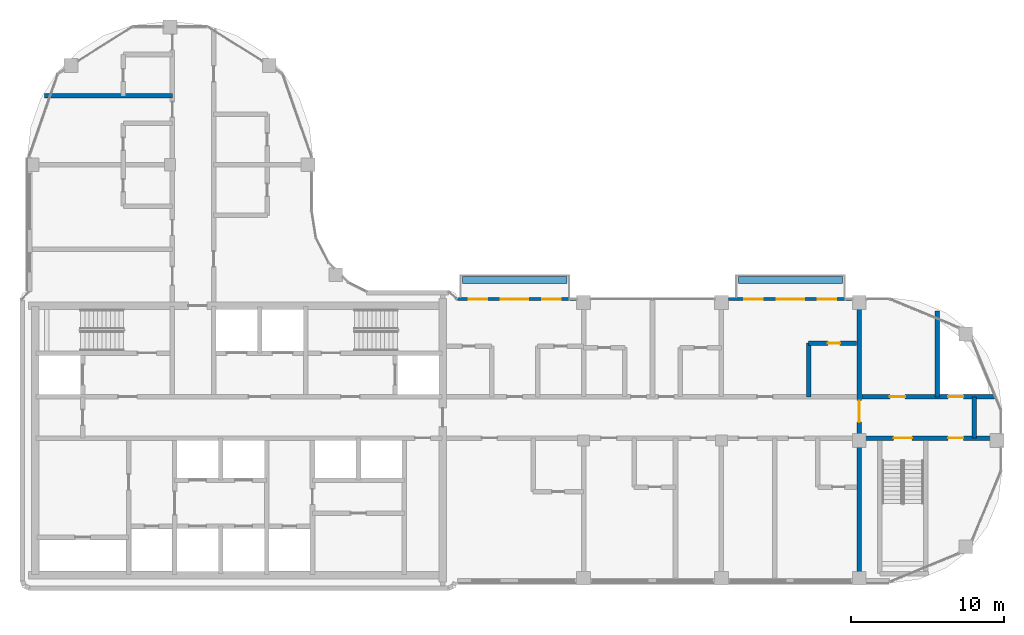
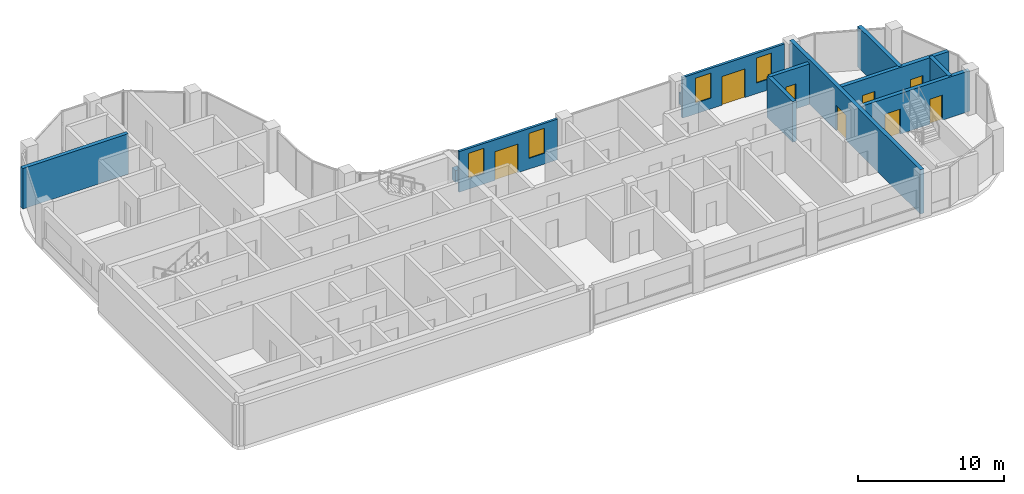
# One storey, part 13 of 19: 12 walls, 8 doors, 4 windows, 12 openings.
"""IFC4 building model written with IfcOpenShell, lengths in metres."""

from ifc_helpers import new_model, si_unit, direction, frame, frame_2d, origin, origin_2d, place, context, subcontext, project, spatial, rectangle, extrude, material, layer, layer_set, type_object, element, fill, save


model = new_model("IFC4")

# Units and contexts
model_context = context("Model", 3, precision=1e-05, world=origin(), true_north=direction((0.0, 1.0)))
body_context = subcontext(model_context, "Body", "Model", "MODEL_VIEW")
ifc_project = project(units=[si_unit("LENGTHUNIT", "METRE"), si_unit("AREAUNIT", "SQUARE_METRE"), si_unit("VOLUMEUNIT", "CUBIC_METRE"), si_unit("PLANEANGLEUNIT", "RADIAN"), si_unit("MASSUNIT", "GRAM", prefix="KILO")], contexts=[model_context])

# Site, building, storey
site_placement = place(None, origin())
site = spatial("IfcSite", under=ifc_project, at=site_placement, CompositionType="ELEMENT")
building_placement = place(site_placement, origin())
building = spatial("IfcBuilding", under=site, at=building_placement, Name="Ogive Portal Towers", CompositionType="ELEMENT")
storey_placement = place(building_placement, frame((0.0, 0.0, 218.0)))
storey = spatial("IfcBuildingStorey", under=building, at=storey_placement, Name="L54", CompositionType="ELEMENT", Elevation=218.0)

# Wall, openings, door, windows
ifc_material_1 = material(Name="Limestone cladding on lightweight block wall", Category="masonry")
ifc_layer_1 = layer(ifc_material_1, 0.199951171875)
ifc_layer_set_1 = layer_set([ifc_layer_1], Name="BALCONY BAY WALL 200")
wall_type_1 = type_object("IfcWallType", Name="BALCONY BAY WALL 200", PredefinedType="SOLIDWALL", material=ifc_layer_set_1)
wall_1_placement = place(storey_placement, frame((76.949951171875, 39.719970703125, 0.0), z_axis=(0.0, 0.0, 1.0), x_axis=(1.0, 0.0, 0.0)))
wall_1 = element("IfcWall", 1, at=wall_1_placement, inside=storey, type_object=wall_type_1, Name="A:L54:f26:bay0", PredefinedType="SOLIDWALL", context=body_context, shape_type="SweptSolid", body=[
    extrude(rectangle(XDim=8.10009765625, YDim=0.199951171875, at=frame_2d((4.050048828125, 0.0))), origin(), (0.0, 0.0, 1.0), 3.39990234375),
])
opening_1_placement = place(wall_1_placement, frame((3.14990234375, 0.0, 0.0)))
opening_1 = element("IfcOpeningElement", 2, at=opening_1_placement, cuts=wall_1, Name="Opening DX052", PredefinedType="OPENING", context=body_context, shape_type="SweptSolid", body=[
    extrude(rectangle(XDim=1.800048828125, YDim=2.39990234375, at=frame_2d((0.89990234375, 1.199951171875))), frame((0.0, 0.10986328125, 0.0), z_axis=(0.0, -1.0, 0.0), x_axis=(1.0, 0.0, 0.0)), (0.0, 0.0, 1.0), 0.219970703125),
])
opening_2_placement = place(wall_1_placement, frame((5.85009765625, 0.0, 0.89990234375)))
opening_2 = element("IfcOpeningElement", 3, at=opening_2_placement, cuts=wall_1, Name="Opening WN2", PredefinedType="OPENING", context=body_context, shape_type="SweptSolid", body=[
    extrude(rectangle(XDim=1.199951171875, YDim=2.10009765625, at=frame_2d((0.60009765625, 1.050048828125))), frame((0.0, 0.10986328125, 0.0), z_axis=(0.0, -1.0, 0.0), x_axis=(1.0, 0.0, 0.0)), (0.0, 0.0, 1.0), 0.219970703125),
])
opening_3_placement = place(wall_1_placement, frame((1.050048828125, 0.0, 0.89990234375)))
opening_3 = element("IfcOpeningElement", 4, at=opening_3_placement, cuts=wall_1, Name="Opening WN2", PredefinedType="OPENING", context=body_context, shape_type="SweptSolid", body=[
    extrude(rectangle(XDim=1.199951171875, YDim=2.10009765625, at=frame_2d((0.60009765625, 1.050048828125))), frame((0.0, 0.10986328125, 0.0), z_axis=(0.0, -1.0, 0.0), x_axis=(1.0, 0.0, 0.0)), (0.0, 0.0, 1.0), 0.219970703125),
])
ifc_material_2 = material(Name="Aluminium 6063 anodised", Category="aluminium")
door_type_1 = type_object("IfcDoorType", Name="BALCONY DOOR 1800x2400", OperationType="DOUBLE_DOOR_SINGLE_SWING", PredefinedType="DOOR", material=ifc_material_2)
door_1_placement = place(opening_1_placement, origin())
door_1 = element("IfcDoor", 5, at=door_1_placement, inside=storey, type_object=door_type_1, Name="A:L54:f26:bay0/o0", OperationType="SINGLE_SWING_LEFT", OverallHeight=2.39990234375, OverallWidth=1.800048828125, PredefinedType="DOOR", context=body_context, shape_type="SweptSolid", body=[
    extrude(rectangle(XDim=1.800048828125, YDim=2.39990234375, at=frame_2d((0.89990234375, 1.199951171875))), frame((0.0, 0.02490234375, 0.0), z_axis=(0.0, -1.0, 0.0), x_axis=(1.0, 0.0, 0.0)), (0.0, 0.0, 1.0), 0.050048828125),
])
fill(opening_1, door_1)
ifc_material_3 = material(Name="Glass, clear low-iron insulated glazing", Category="glass")
window_type = type_object("IfcWindowType", Name="WINDOW BALCONY BAY 1200x2100", PartitioningType="SINGLE_PANEL", PredefinedType="WINDOW", material=ifc_material_3)
window_1_placement = place(opening_2_placement, origin())
window_1 = element("IfcWindow", 6, at=window_1_placement, inside=storey, type_object=window_type, Name="A:L54:f26:bay0/o1", OverallHeight=2.10009765625, OverallWidth=1.199951171875, PartitioningType="SINGLE_PANEL", PredefinedType="WINDOW", context=body_context, shape_type="SweptSolid", body=[
    extrude(rectangle(XDim=1.199951171875, YDim=2.10009765625, at=frame_2d((0.60009765625, 1.050048828125))), frame((0.0, 0.030029296875, 0.0), z_axis=(0.0, -1.0, 0.0), x_axis=(1.0, 0.0, 0.0)), (0.0, 0.0, 1.0), 0.06005859375),
])
fill(opening_2, window_1)
window_2_placement = place(opening_3_placement, origin())
window_2 = element("IfcWindow", 7, at=window_2_placement, inside=storey, type_object=window_type, Name="A:L54:f26:bay0/o2", OverallHeight=2.10009765625, OverallWidth=1.199951171875, PartitioningType="SINGLE_PANEL", PredefinedType="WINDOW", context=body_context, shape_type="SweptSolid", body=[
    extrude(rectangle(XDim=1.199951171875, YDim=2.10009765625, at=frame_2d((0.60009765625, 1.050048828125))), frame((0.0, 0.030029296875, 0.0), z_axis=(0.0, -1.0, 0.0), x_axis=(1.0, 0.0, 0.0)), (0.0, 0.0, 1.0), 0.06005859375),
])
fill(opening_3, window_2)

wall_2_placement = place(storey_placement, frame((59.250244140625, 39.719970703125, 0.0), z_axis=(0.0, 0.0, 1.0), x_axis=(1.0, 0.0, 0.0)))
wall_2 = element("IfcWall", 8, at=wall_2_placement, inside=storey, type_object=wall_type_1, Name="A:L54:f26:bay1", PredefinedType="SOLIDWALL", context=body_context, shape_type="SweptSolid", body=[
    extrude(rectangle(XDim=7.7998046875, YDim=0.199951171875, at=frame_2d((3.89990234375, 0.0))), origin(), (0.0, 0.0, 1.0), 3.39990234375),
])
opening_4_placement = place(wall_2_placement, frame((2.85009765625, 0.0, 0.0)))
opening_4 = element("IfcOpeningElement", 9, at=opening_4_placement, cuts=wall_2, Name="Opening DX053", PredefinedType="OPENING", context=body_context, shape_type="SweptSolid", body=[
    extrude(rectangle(XDim=1.800048828125, YDim=2.39990234375, at=frame_2d((0.89990234375, 1.199951171875))), frame((0.0, 0.10986328125, 0.0), z_axis=(0.0, -1.0, 0.0), x_axis=(1.0, 0.0, 0.0)), (0.0, 0.0, 1.0), 0.219970703125),
])
opening_5_placement = place(wall_2_placement, frame((5.550048828125, 0.0, 0.89990234375)))
opening_5 = element("IfcOpeningElement", 10, at=opening_5_placement, cuts=wall_2, Name="Opening WN2", PredefinedType="OPENING", context=body_context, shape_type="SweptSolid", body=[
    extrude(rectangle(XDim=1.199951171875, YDim=2.10009765625, at=frame_2d((0.60009765625, 1.050048828125))), frame((0.0, 0.10986328125, 0.0), z_axis=(0.0, -1.0, 0.0), x_axis=(1.0, 0.0, 0.0)), (0.0, 0.0, 1.0), 0.219970703125),
])
opening_6_placement = place(wall_2_placement, frame((0.75, 0.0, 0.89990234375)))
opening_6 = element("IfcOpeningElement", 11, at=opening_6_placement, cuts=wall_2, Name="Opening WN2", PredefinedType="OPENING", context=body_context, shape_type="SweptSolid", body=[
    extrude(rectangle(XDim=1.199951171875, YDim=2.10009765625, at=frame_2d((0.60009765625, 1.050048828125))), frame((0.0, 0.10986328125, 0.0), z_axis=(0.0, -1.0, 0.0), x_axis=(1.0, 0.0, 0.0)), (0.0, 0.0, 1.0), 0.219970703125),
])
door_2_placement = place(opening_4_placement, origin())
door_2 = element("IfcDoor", 12, at=door_2_placement, inside=storey, type_object=door_type_1, Name="A:L54:f26:bay1/o0", OperationType="SINGLE_SWING_LEFT", OverallHeight=2.39990234375, OverallWidth=1.800048828125, PredefinedType="DOOR", context=body_context, shape_type="SweptSolid", body=[
    extrude(rectangle(XDim=1.800048828125, YDim=2.39990234375, at=frame_2d((0.89990234375, 1.199951171875))), frame((0.0, 0.02490234375, 0.0), z_axis=(0.0, -1.0, 0.0), x_axis=(1.0, 0.0, 0.0)), (0.0, 0.0, 1.0), 0.050048828125),
])
fill(opening_4, door_2)
window_3_placement = place(opening_5_placement, origin())
window_3 = element("IfcWindow", 13, at=window_3_placement, inside=storey, type_object=window_type, Name="A:L54:f26:bay1/o1", OverallHeight=2.10009765625, OverallWidth=1.199951171875, PartitioningType="SINGLE_PANEL", PredefinedType="WINDOW", context=body_context, shape_type="SweptSolid", body=[
    extrude(rectangle(XDim=1.199951171875, YDim=2.10009765625, at=frame_2d((0.60009765625, 1.050048828125))), frame((0.0, 0.030029296875, 0.0), z_axis=(0.0, -1.0, 0.0), x_axis=(1.0, 0.0, 0.0)), (0.0, 0.0, 1.0), 0.06005859375),
])
fill(opening_5, window_3)
window_4_placement = place(opening_6_placement, origin())
window_4 = element("IfcWindow", 14, at=window_4_placement, inside=storey, type_object=window_type, Name="A:L54:f26:bay1/o2", OverallHeight=2.10009765625, OverallWidth=1.199951171875, PartitioningType="SINGLE_PANEL", PredefinedType="WINDOW", context=body_context, shape_type="SweptSolid", body=[
    extrude(rectangle(XDim=1.199951171875, YDim=2.10009765625, at=frame_2d((0.60009765625, 1.050048828125))), frame((0.0, 0.030029296875, 0.0), z_axis=(0.0, -1.0, 0.0), x_axis=(1.0, 0.0, 0.0)), (0.0, 0.0, 1.0), 0.06005859375),
])
fill(opening_6, window_4)

# Walls
ifc_material_4 = material(Name="Concrete C40/50", Category="concrete")
ifc_layer_2 = layer(ifc_material_4, 0.449951171875)
ifc_layer_set_2 = layer_set([ifc_layer_2], Name="PLANTER WALL 450")
wall_type_2 = type_object("IfcWallType", Name="PLANTER WALL 450", PredefinedType="SOLIDWALL", material=ifc_layer_set_2)
for number, where, z_axis, x_axis, name in (
    (15, (63.0, 40.97509765625, 0.0), (0.0, 0.0, 1.0), (1.0, 0.0, 0.0), "Planter T1"),
    (16, (81.0, 40.97509765625, 0.0), (0.0, 0.0, 1.0), (1.0, 0.0, 0.0), "Planter T3"),
):
    element("IfcWall", number, at=place(storey_placement, frame(where, z_axis=z_axis, x_axis=x_axis)), inside=storey, type_object=wall_type_2, Name=name, PredefinedType="SOLIDWALL", context=body_context, shape_type="SweptSolid", body=[
        extrude(rectangle(XDim=6.800048828125, YDim=0.449951171875, at=origin_2d()), origin(), (0.0, 0.0, 1.0), 1.0),
    ])

# Wall, opening, door
ifc_material_5 = material(Name="Concrete C60/75", Category="concrete")
ifc_layer_3 = layer(ifc_material_5, 0.300048828125)
ifc_layer_set_3 = layer_set([ifc_layer_3], Name="REVEAL WALL 300 C60")
wall_type_3 = type_object("IfcWallType", Name="REVEAL WALL 300 C60", PredefinedType="SHEAR", material=ifc_layer_set_3)
wall_3_placement = place(storey_placement, frame((85.5, 21.530029296875, 0.0), z_axis=(0.0, 0.0, 1.0), x_axis=(0.0, 1.0, 0.0)))
wall_3 = element("IfcWall", 17, at=wall_3_placement, inside=storey, type_object=wall_type_3, Name="Portal reveal wall L54", PredefinedType="SHEAR", context=body_context, shape_type="SweptSolid", body=[
    extrude(rectangle(XDim=17.93994140625, YDim=0.300048828125, at=frame_2d((8.969970703125, 0.0))), origin(), (0.0, 0.0, 1.0), 3.699951171875),
])
opening_7_placement = place(wall_3_placement, frame((10.169921875, 0.0, 0.0)))
opening_7 = element("IfcOpeningElement", 18, at=opening_7_placement, cuts=wall_3, Name="Opening D24-057", PredefinedType="OPENING", context=body_context, shape_type="SweptSolid", body=[
    extrude(rectangle(XDim=1.39990234375, YDim=2.10009765625, at=frame_2d((0.699951171875, 1.050048828125))), frame((0.0, 0.16015625, 0.0), z_axis=(0.0, -1.0, 0.0), x_axis=(1.0, 0.0, 0.0)), (0.0, 0.0, 1.0), 0.320068359375),
])
ifc_material_6 = material(Name="Steel fire door", Category="steel")
door_type_2 = type_object("IfcDoorType", Name="DT-STAIR-1400x2100-FD90S", OperationType="SINGLE_SWING_LEFT", PredefinedType="DOOR", material=ifc_material_6)
door_3_placement = place(opening_7_placement, origin())
door_3 = element("IfcDoor", 19, at=door_3_placement, inside=storey, type_object=door_type_2, Name="Door D24-057", OperationType="SINGLE_SWING_RIGHT", OverallHeight=2.10009765625, OverallWidth=1.39990234375, PredefinedType="DOOR", context=body_context, shape_type="SweptSolid", body=[
    extrude(rectangle(XDim=1.39990234375, YDim=2.10009765625, at=frame_2d((0.699951171875, 1.050048828125))), frame((0.0, 0.02490234375, 0.0), z_axis=(0.0, -1.0, 0.0), x_axis=(1.0, 0.0, 0.0)), (0.0, 0.0, 1.0), 0.050048828125),
])
fill(opening_7, door_3)

# Wall, openings, doors
ifc_material_7 = material(Name="Concrete C50/60", Category="concrete")
ifc_layer_4 = layer(ifc_material_7, 0.300048828125)
ifc_layer_set_4 = layer_set([ifc_layer_4], Name="STAIR WALL 300 C50")
wall_type_4 = type_object("IfcWallType", Name="STAIR WALL 300 C50", PredefinedType="SHEAR", material=ifc_layer_set_4)
wall_4_placement = place(storey_placement, frame((85.669921875, 30.64990234375, 0.0), z_axis=(0.0, 0.0, 1.0), x_axis=(1.0, 0.0, 0.0)))
wall_4 = element("IfcWall", 20, at=wall_4_placement, inside=storey, type_object=wall_type_4, Name="Stair wall ST-A4 L54", PredefinedType="SHEAR", context=body_context, shape_type="SweptSolid", body=[
    extrude(rectangle(XDim=8.800048828125, YDim=0.300048828125, at=frame_2d((4.39990234375, 0.0))), origin(), (0.0, 0.0, 1.0), 3.39990234375),
])
opening_8_placement = place(wall_4_placement, frame((2.080078125, 0.0, 0.0)))
opening_8 = element("IfcOpeningElement", 21, at=opening_8_placement, cuts=wall_4, Name="Opening D24-053", PredefinedType="OPENING", context=body_context, shape_type="SweptSolid", body=[
    extrude(rectangle(XDim=1.199951171875, YDim=2.10009765625, at=frame_2d((0.60009765625, 1.050048828125))), frame((0.0, 0.16015625, 0.0), z_axis=(0.0, -1.0, 0.0), x_axis=(1.0, 0.0, 0.0)), (0.0, 0.0, 1.0), 0.320068359375),
])
opening_9_placement = place(wall_4_placement, frame((5.6298828125, 0.0, 0.0)))
opening_9 = element("IfcOpeningElement", 22, at=opening_9_placement, cuts=wall_4, Name="Opening D24-056", PredefinedType="OPENING", context=body_context, shape_type="SweptSolid", body=[
    extrude(rectangle(XDim=1.0, YDim=2.10009765625, at=frame_2d((0.5, 1.050048828125))), frame((0.0, 0.16015625, 0.0), z_axis=(0.0, -1.0, 0.0), x_axis=(1.0, 0.0, 0.0)), (0.0, 0.0, 1.0), 0.320068359375),
])
door_type_3 = type_object("IfcDoorType", Name="DT-SERVICE-1000x2100-FD90S", OperationType="SINGLE_SWING_LEFT", PredefinedType="DOOR", material=ifc_material_6)
door_4_placement = place(opening_9_placement, origin())
door_4 = element("IfcDoor", 23, at=door_4_placement, inside=storey, type_object=door_type_3, Name="Door D24-056", OperationType="SINGLE_SWING_LEFT", OverallHeight=2.10009765625, OverallWidth=1.0, PredefinedType="DOOR", context=body_context, shape_type="SweptSolid", body=[
    extrude(rectangle(XDim=1.0, YDim=2.10009765625, at=frame_2d((0.5, 1.050048828125))), frame((0.0, 0.02490234375, 0.0), z_axis=(0.0, -1.0, 0.0), x_axis=(1.0, 0.0, 0.0)), (0.0, 0.0, 1.0), 0.050048828125),
])
fill(opening_9, door_4)
door_type_4 = type_object("IfcDoorType", Name="DT-STAIR-1200x2100-FD90S", OperationType="SINGLE_SWING_LEFT", PredefinedType="DOOR", material=ifc_material_6)
door_5_placement = place(opening_8_placement, origin())
door_5 = element("IfcDoor", 24, at=door_5_placement, inside=storey, type_object=door_type_4, Name="Door D24-053", OperationType="SINGLE_SWING_LEFT", OverallHeight=2.10009765625, OverallWidth=1.199951171875, PredefinedType="DOOR", context=body_context, shape_type="SweptSolid", body=[
    extrude(rectangle(XDim=1.199951171875, YDim=2.10009765625, at=frame_2d((0.60009765625, 1.050048828125))), frame((0.0, 0.02490234375, 0.0), z_axis=(0.0, -1.0, 0.0), x_axis=(1.0, 0.0, 0.0)), (0.0, 0.0, 1.0), 0.050048828125),
])
fill(opening_8, door_5)

ifc_material_8 = material(Name="Gypsum board partition on steel studs", Category="steel")
ifc_layer_5 = layer(ifc_material_8, 0.300048828125)
ifc_layer_set_5 = layer_set([ifc_layer_5], Name="WT-PART-300-EI 120")
wall_type_5 = type_object("IfcWallType", Name="WT-PART-300-EI 120", PredefinedType="PARTITIONING", material=ifc_layer_set_5)
wall_5_placement = place(storey_placement, frame((85.669921875, 33.35009765625, 0.0), z_axis=(0.0, 0.0, 1.0), x_axis=(1.0, 0.0, 0.0)))
wall_5 = element("IfcWall", 25, at=wall_5_placement, inside=storey, type_object=wall_type_5, Name="Wall L54:w008", PredefinedType="PARTITIONING", context=body_context, shape_type="SweptSolid", body=[
    extrude(rectangle(XDim=8.68505859375, YDim=0.300048828125, at=frame_2d((4.342529296875, 0.0))), origin(), (0.0, 0.0, 1.0), 3.39990234375),
])
opening_10_placement = place(wall_5_placement, frame((1.830078125, 0.0, 0.0)))
opening_10 = element("IfcOpeningElement", 26, at=opening_10_placement, cuts=wall_5, Name="Opening D24-054", PredefinedType="OPENING", context=body_context, shape_type="SweptSolid", body=[
    extrude(rectangle(XDim=1.0, YDim=2.10009765625, at=frame_2d((0.5, 1.050048828125))), frame((0.0, 0.16015625, 0.0), z_axis=(0.0, -1.0, 0.0), x_axis=(1.0, 0.0, 0.0)), (0.0, 0.0, 1.0), 0.320068359375),
])
opening_11_placement = place(wall_5_placement, frame((5.6298828125, 0.0, 0.0)))
opening_11 = element("IfcOpeningElement", 27, at=opening_11_placement, cuts=wall_5, Name="Opening D24-055", PredefinedType="OPENING", context=body_context, shape_type="SweptSolid", body=[
    extrude(rectangle(XDim=1.0, YDim=2.10009765625, at=frame_2d((0.5, 1.050048828125))), frame((0.0, 0.16015625, 0.0), z_axis=(0.0, -1.0, 0.0), x_axis=(1.0, 0.0, 0.0)), (0.0, 0.0, 1.0), 0.320068359375),
])
door_6_placement = place(opening_10_placement, origin())
door_6 = element("IfcDoor", 28, at=door_6_placement, inside=storey, type_object=door_type_3, Name="Door D24-054", OperationType="SINGLE_SWING_LEFT", OverallHeight=2.10009765625, OverallWidth=1.0, PredefinedType="DOOR", context=body_context, shape_type="SweptSolid", body=[
    extrude(rectangle(XDim=1.0, YDim=2.10009765625, at=frame_2d((0.5, 1.050048828125))), frame((0.0, 0.02490234375, 0.0), z_axis=(0.0, -1.0, 0.0), x_axis=(1.0, 0.0, 0.0)), (0.0, 0.0, 1.0), 0.050048828125),
])
fill(opening_10, door_6)
door_7_placement = place(opening_11_placement, origin())
door_7 = element("IfcDoor", 29, at=door_7_placement, inside=storey, type_object=door_type_3, Name="Riser access door D24-055", OperationType="SINGLE_SWING_RIGHT", OverallHeight=2.10009765625, OverallWidth=1.0, PredefinedType="DOOR", context=body_context, shape_type="SweptSolid", body=[
    extrude(rectangle(XDim=1.0, YDim=2.10009765625, at=frame_2d((0.5, 1.050048828125))), frame((0.0, 0.02490234375, 0.0), z_axis=(0.0, -1.0, 0.0), x_axis=(1.0, 0.0, 0.0)), (0.0, 0.0, 1.0), 0.050048828125),
])
fill(opening_11, door_7)

# Wall
wall_6_placement = place(storey_placement, frame((93.0, 30.64990234375, 0.0), z_axis=(0.0, 0.0, 1.0), x_axis=(0.0, 1.0, 0.0)))
element("IfcWall", 30, at=wall_6_placement, inside=storey, type_object=wall_type_5, Name="Wall L54:w046", PredefinedType="PARTITIONING", context=body_context, shape_type="SweptSolid", body=[
    extrude(rectangle(XDim=2.7001953125, YDim=0.300048828125, at=frame_2d((1.35009765625, 0.0))), origin(), (0.0, 0.0, 1.0), 3.39990234375),
])

# Wall, opening, door
ifc_layer_6 = layer(ifc_material_8, 0.300048828125)
ifc_layer_set_6 = layer_set([ifc_layer_6], Name="WT-PART-300-EI 60")
wall_type_6 = type_object("IfcWallType", Name="WT-PART-300-EI 60", PredefinedType="PARTITIONING", material=ifc_layer_set_6)
wall_7_placement = place(storey_placement, frame((82.199951171875, 36.85009765625, 0.0), z_axis=(0.0, 0.0, 1.0), x_axis=(1.0, 0.0, 0.0)))
wall_7 = element("IfcWall", 31, at=wall_7_placement, inside=storey, type_object=wall_type_6, Name="Wall L54:w013", PredefinedType="PARTITIONING", context=body_context, shape_type="SweptSolid", body=[
    extrude(rectangle(XDim=3.130126953125, YDim=0.300048828125, at=frame_2d((1.56494140625, 0.0))), origin(), (0.0, 0.0, 1.0), 3.39990234375),
])
opening_12_placement = place(wall_7_placement, frame((1.25, 0.0, 0.0)))
opening_12 = element("IfcOpeningElement", 32, at=opening_12_placement, cuts=wall_7, Name="Opening D24-037", PredefinedType="OPENING", context=body_context, shape_type="SweptSolid", body=[
    extrude(rectangle(XDim=0.800048828125, YDim=2.10009765625, at=frame_2d((0.39990234375, 1.050048828125))), frame((0.0, 0.16015625, 0.0), z_axis=(0.0, -1.0, 0.0), x_axis=(1.0, 0.0, 0.0)), (0.0, 0.0, 1.0), 0.320068359375),
])
door_type_5 = type_object("IfcDoorType", Name="DT-BATH-800x2100-FD60S", OperationType="SINGLE_SWING_LEFT", PredefinedType="DOOR", material=ifc_material_6)
door_8_placement = place(opening_12_placement, origin())
door_8 = element("IfcDoor", 33, at=door_8_placement, inside=storey, type_object=door_type_5, Name="Door D24-037", OperationType="SINGLE_SWING_LEFT", OverallHeight=2.10009765625, OverallWidth=0.800048828125, PredefinedType="DOOR", context=body_context, shape_type="SweptSolid", body=[
    extrude(rectangle(XDim=0.800048828125, YDim=2.10009765625, at=frame_2d((0.39990234375, 1.050048828125))), frame((0.0, 0.02490234375, 0.0), z_axis=(0.0, -1.0, 0.0), x_axis=(1.0, 0.0, 0.0)), (0.0, 0.0, 1.0), 0.050048828125),
])
fill(opening_12, door_8)

# Walls
wall_8_placement = place(storey_placement, frame((32.2900390625, 53.0, 0.0), z_axis=(0.0, 0.0, 1.0), x_axis=(1.0, 0.0, 0.0)))
element("IfcWall", 34, at=wall_8_placement, inside=storey, type_object=wall_type_6, Name="Wall L54:w021", PredefinedType="PARTITIONING", context=body_context, shape_type="SweptSolid", body=[
    extrude(rectangle(XDim=8.35986328125, YDim=0.300048828125, at=frame_2d((4.179931640625, 0.0))), origin(), (0.0, 0.0, 1.0), 3.39990234375),
])
wall_9_placement = place(storey_placement, frame((82.199951171875, 33.35009765625, 0.0), z_axis=(0.0, 0.0, 1.0), x_axis=(0.0, 1.0, 0.0)))
element("IfcWall", 35, at=wall_9_placement, inside=storey, type_object=wall_type_6, Name="Wall L54:w041", PredefinedType="PARTITIONING", context=body_context, shape_type="SweptSolid", body=[
    extrude(rectangle(XDim=3.5, YDim=0.300048828125, at=frame_2d((1.75, 0.0))), origin(), (0.0, 0.0, 1.0), 3.39990234375),
])
wall_10_placement = place(storey_placement, frame((90.60009765625, 33.35009765625, 0.0), z_axis=(0.0, 0.0, 1.0), x_axis=(0.0, 1.0, 0.0)))
element("IfcWall", 36, at=wall_10_placement, inside=storey, type_object=wall_type_6, Name="Wall L54:w045", PredefinedType="PARTITIONING", context=body_context, shape_type="SweptSolid", body=[
    extrude(rectangle(XDim=5.602783203125, YDim=0.300048828125, at=frame_2d((2.80126953125, 0.0))), origin(), (0.0, 0.0, 1.0), 3.39990234375),
])

save(model, "model.ifc")
